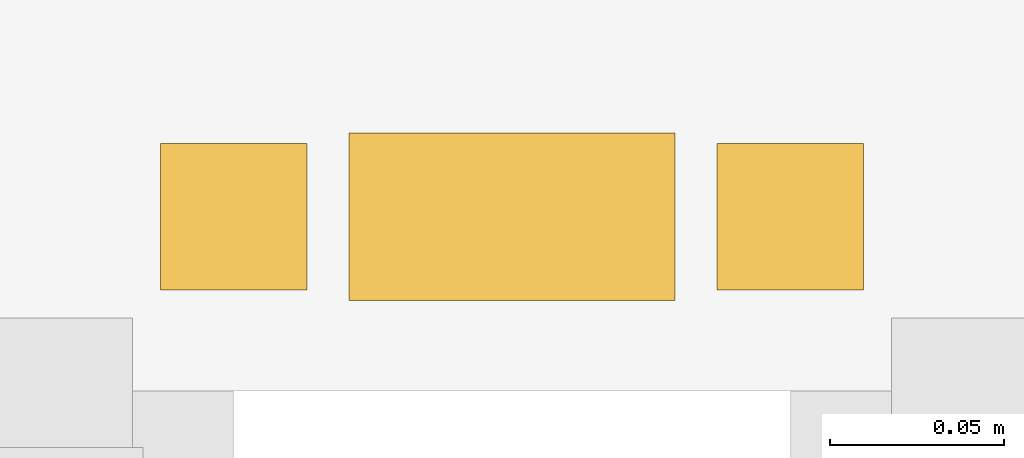
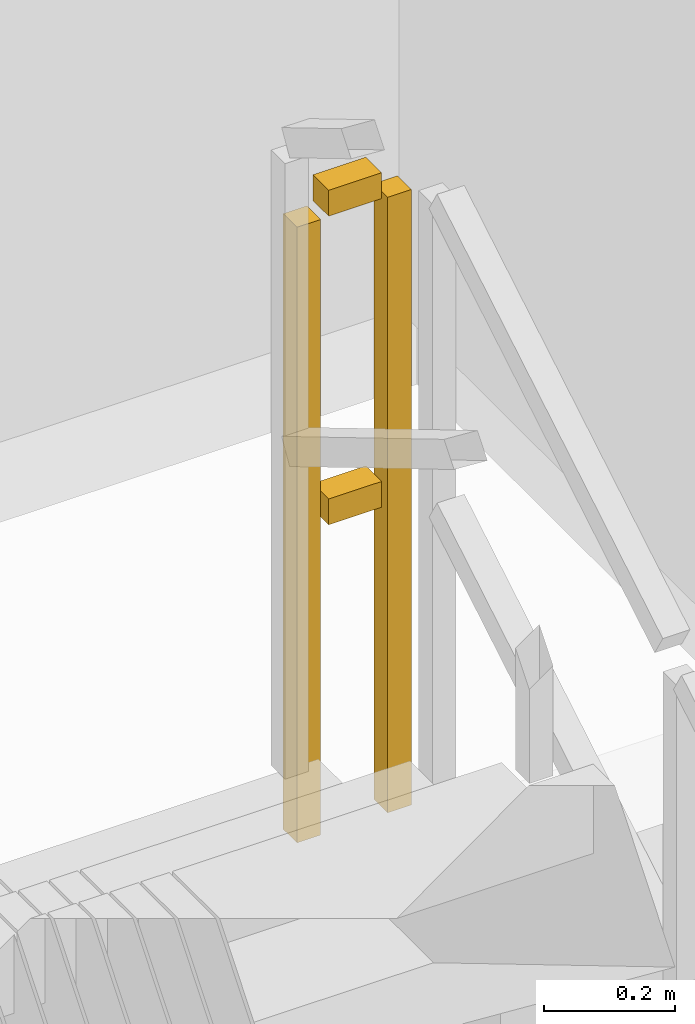
# One storey, part 26 of 26: 1 railing.
"""IFC4 building model written with IfcOpenShell, lengths in metres."""

from ifc_helpers import new_model, si_unit, direction, frame, origin, origin_2d, place, context, subcontext, project, spatial, rectangle, extrude, material, type_object, element, save


model = new_model("IFC4")

# Units and contexts
model_context = context("Model", 3, precision=1e-05, world=origin(), true_north=direction((0.0, 1.0)))
body_context = subcontext(model_context, "Body", "Model", "MODEL_VIEW")
ifc_project = project(units=[si_unit("LENGTHUNIT", "METRE"), si_unit("AREAUNIT", "SQUARE_METRE"), si_unit("VOLUMEUNIT", "CUBIC_METRE"), si_unit("PLANEANGLEUNIT", "RADIAN"), si_unit("MASSUNIT", "GRAM", prefix="KILO")], contexts=[model_context])

# Site, building, storey
site_placement = place(None, origin())
site = spatial("IfcSite", under=ifc_project, at=site_placement, CompositionType="ELEMENT")
building_placement = place(site_placement, origin())
building = spatial("IfcBuilding", under=site, at=building_placement, Name="Saelheon Loggia Tower", CompositionType="ELEMENT")
storey_placement = place(building_placement, frame((0.0, 0.0, 89.85009765625)))
storey = spatial("IfcBuildingStorey", under=building, at=storey_placement, Name="L28", CompositionType="ELEMENT", Elevation=89.85009765625)

# Railing
ifc_material = material(Name="Galvanised Steel S275 Stairwell Guardrail", Category="steel")
railing_type = type_object("IfcRailingType", Name="Guard_StairWell_RL_STG", PredefinedType="GUARDRAIL", material=ifc_material)
railing_placement = place(storey_placement, frame((42.489990234375, 32.739990234375, 1.5)))
element("IfcRailing", 1, at=railing_placement, inside=storey, type_object=railing_type, Name="L28 ST2 stair guard 2", PredefinedType="GUARDRAIL", context=body_context, shape_type="SweptSolid", body=[
    extrude(rectangle(XDim=0.048095703125, YDim=0.048095703125, at=origin_2d()), frame((-0.033203125, 0.0, 1.17578125), z_axis=(-1.0, 0.0, 0.0), x_axis=(0.0, -1.0, 0.0)), (0.0, 0.0, 1.0), 0.093505859375),
    extrude(rectangle(XDim=0.048095703125, YDim=0.048095703125, at=origin_2d()), frame((-0.033203125, 0.0, 0.60009765625), z_axis=(-1.0, 0.0, 0.0), x_axis=(0.0, -1.0, 0.0)), (0.0, 0.0, 1.0), 0.093505859375),
    extrude(rectangle(XDim=0.0419921875, YDim=0.0419921875, at=origin_2d()), origin(), (0.0, 0.0, 1.0), 1.14794921875),
    extrude(rectangle(XDim=0.0419921875, YDim=0.0419921875, at=origin_2d()), frame((-0.159912109375, 0.0, 0.0)), (0.0, 0.0, 1.0), 1.14794921875),
])

save(model, "model.ifc")
